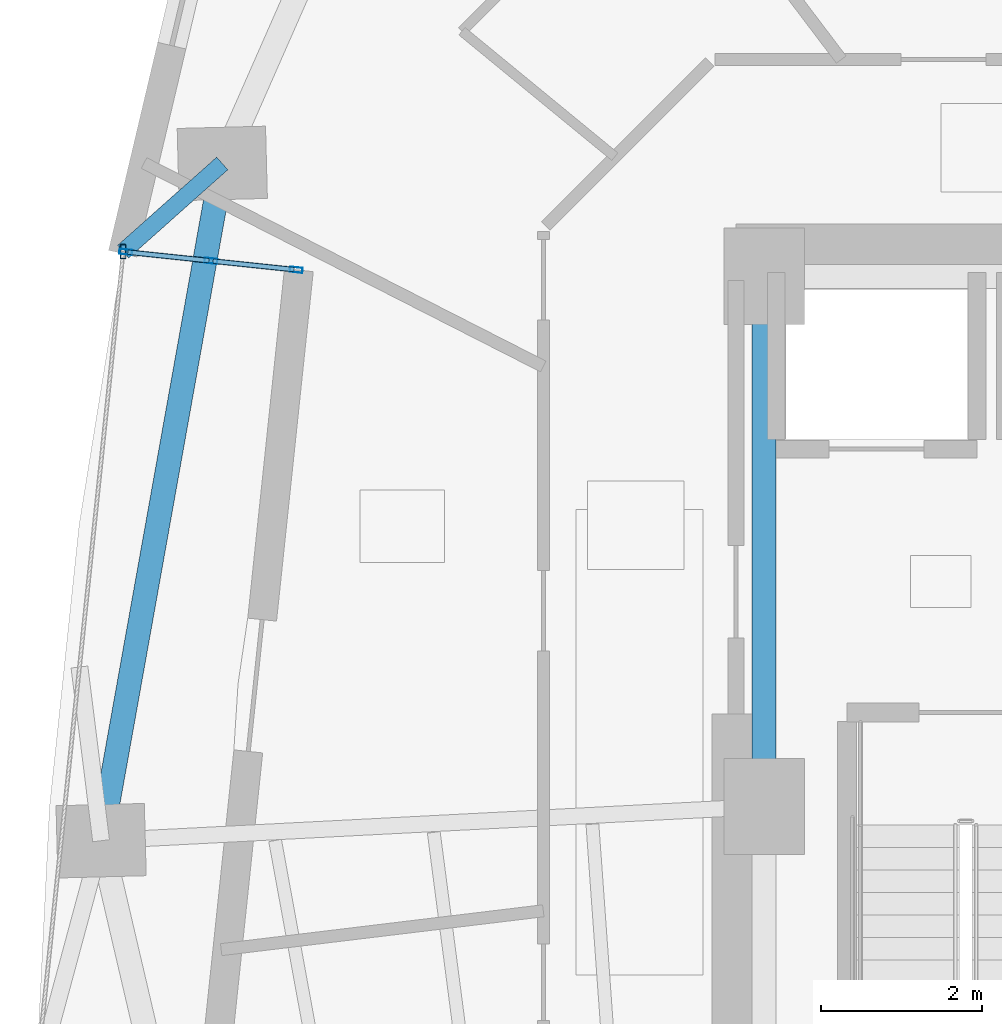
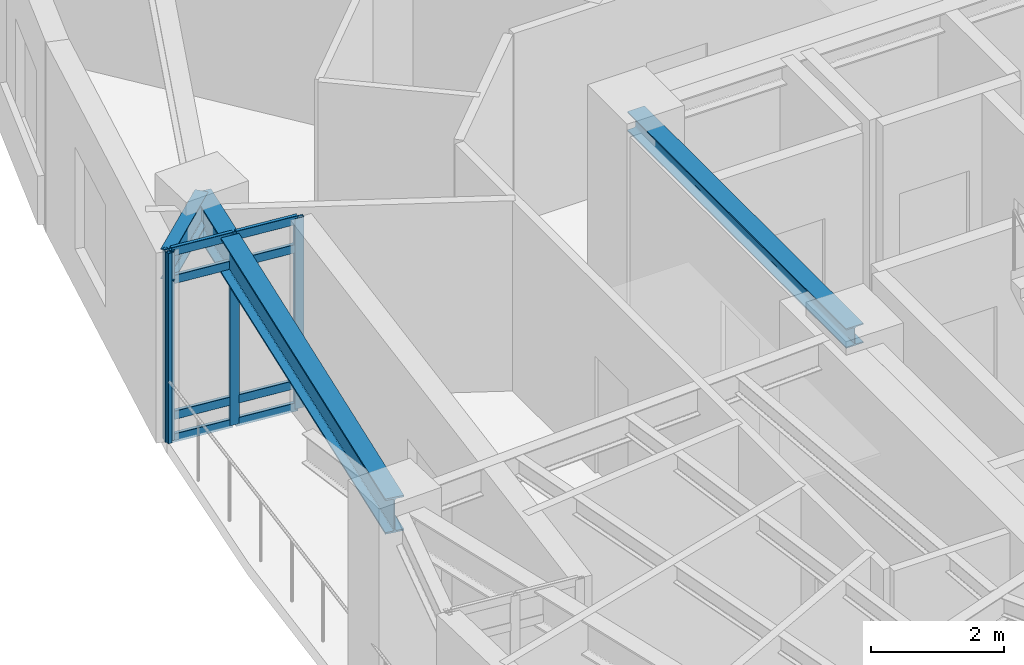
# One storey, part 3 of 12: 12 members, 3 beams, 1 element without a shape of its own.
"""IFC4 building model written with IfcOpenShell, lengths in metres."""

from ifc_helpers import new_model, si_unit, direction, frame, origin, origin_2d, place, context, subcontext, project, spatial, hollow_rectangle, i_section, extrude, material, layer, layer_set, material_profile, profile_set, type_object, element, aggregate, save


model = new_model("IFC4")

# Units and contexts
model_context = context("Model", 3, precision=1e-05, world=origin(), true_north=direction((0.0, 1.0)))
body_context = subcontext(model_context, "Body", "Model", "MODEL_VIEW")
ifc_project = project(units=[si_unit("LENGTHUNIT", "METRE"), si_unit("AREAUNIT", "SQUARE_METRE"), si_unit("VOLUMEUNIT", "CUBIC_METRE"), si_unit("PLANEANGLEUNIT", "RADIAN"), si_unit("MASSUNIT", "GRAM", prefix="KILO")], contexts=[model_context])

# Site, building, storey
site_placement = place(None, origin())
site = spatial("IfcSite", under=ifc_project, at=site_placement, CompositionType="ELEMENT")
building_placement = place(site_placement, origin())
building = spatial("IfcBuilding", under=site, at=building_placement, Name="Ndelora Gate Hotel", CompositionType="ELEMENT")
storey_placement = place(building_placement, frame((0.0, 0.0, 101.0)))
storey = spatial("IfcBuildingStorey", under=building, at=storey_placement, Name="L24", CompositionType="ELEMENT", Elevation=101.0)

# Beams
ifc_material_1 = material(Name="Steel S355", Category="steel")
ifc_material_profile_1 = material_profile(ifc_material_1, i_section(OverallWidth=0.300048828125, OverallDepth=0.360107421875, WebThickness=0.012451171875, FlangeThickness=0.0224609375, FilletRadius=0.027099609375, at=origin_2d()), Name="HEB 360")
ifc_profile_set_1 = profile_set([ifc_material_profile_1], Name="Steel S355")
beam_type_1 = type_object("IfcBeamType", Name="BM-CORE-360", PredefinedType="BEAM", material=ifc_profile_set_1)
beam_1_placement = place(storey_placement, frame((-8.0, 0.0, 3.320068359375), z_axis=(0.0, 1.0, 0.0), x_axis=(-1.0, 0.0, 0.0)))
element("IfcBeam", 1, at=beam_1_placement, inside=storey, type_object=beam_type_1, Name="L24 Core Tie Girder CC8-CC7", PredefinedType="BEAM", context=body_context, shape_type="SweptSolid", body=[
    extrude(i_section(OverallWidth=0.300048828125, OverallDepth=0.360107421875, WebThickness=0.012451171875, FlangeThickness=0.0224609375, FilletRadius=0.027099609375, at=origin_2d()), origin(), (0.0, 0.0, 1.0), 6.60009765625),
])
ifc_material_profile_2 = material_profile(ifc_material_1, i_section(OverallWidth=0.2099609375, OverallDepth=0.550048828125, WebThickness=0.010986328125, FlangeThickness=0.01708984375, FilletRadius=0.02392578125, at=origin_2d()), Name="IPE 550")
ifc_profile_set_2 = profile_set([ifc_material_profile_2], Name="Steel S355")
beam_type_2 = type_object("IfcBeamType", Name="BM-RAD-550", PredefinedType="BEAM", material=ifc_profile_set_2)
beam_2_placement = place(storey_placement, frame((-14.74658203125, 8.006591796875, 3.22509765625), z_axis=(-0.747058674237, -0.664758104311, 0.0), x_axis=(0.664758104311, -0.747058674237, 0.0)))
element("IfcBeam", 2, at=beam_2_placement, inside=storey, type_object=beam_type_2, Name="L24 Sky-Garden Loggia Column Bracket 1", PredefinedType="BEAM", context=body_context, shape_type="SweptSolid", body=[
    extrude(i_section(OverallWidth=0.2099609375, OverallDepth=0.550048828125, WebThickness=0.010986328125, FlangeThickness=0.01708984375, FilletRadius=0.02392578125, at=origin_2d()), origin(), (0.0, 0.0, 1.0), 1.65234375),
])
ifc_material_profile_3 = material_profile(ifc_material_1, i_section(OverallWidth=0.300048828125, OverallDepth=0.64990234375, WebThickness=0.01611328125, FlangeThickness=0.031005859375, FilletRadius=0.027099609375, at=origin_2d()), Name="HEB 650")
ifc_profile_set_3 = profile_set([ifc_material_profile_3], Name="Steel S355")
beam_type_3 = type_object("IfcBeamType", Name="BM-RING-650", PredefinedType="SPANDREL", material=ifc_profile_set_3)
beam_3_placement = place(storey_placement, frame((-14.74658203125, 8.006591796875, 3.175048828125), z_axis=(-0.176130938817, -0.984366746894, 0.0), x_axis=(0.984366746894, -0.176130938817, 0.0)))
element("IfcBeam", 3, at=beam_3_placement, inside=storey, type_object=beam_type_3, Name="L24 Perimeter Spandrel Girder 2", PredefinedType="SPANDREL", context=body_context, shape_type="SweptSolid", body=[
    extrude(i_section(OverallWidth=0.300048828125, OverallDepth=0.64990234375, WebThickness=0.01611328125, FlangeThickness=0.031005859375, FilletRadius=0.027099609375, at=origin_2d()), origin(), (0.0, 0.0, 1.0), 8.56640625),
])

# Curtain wall, members
ifc_material_2 = material(Name="Bronze Anodised Unitised Aluminium and Low-E Glass", Category="aluminium")
ifc_layer = layer(ifc_material_2, 0.199951171875)
ifc_layer_set = layer_set([ifc_layer], Name="Bronze Anodised Unitised Aluminium and Low-E Glass")
curtain_wall_type = type_object("IfcCurtainWallType", Name="CW-SYS-3", PredefinedType="NOTDEFINED", material=ifc_layer_set)
curtain_wall_placement = place(storey_placement, origin())
curtain_wall = element("IfcCurtainWall", 4, at=curtain_wall_placement, inside=storey, type_object=curtain_wall_type, Name="L24 Sky-Garden Loggia Side Curtain Wall CW3-1", PredefinedType="NOTDEFINED")
ifc_material_3 = material(Name="Bronze Anodised Aluminium 6063-T6", Category="aluminium")
ifc_material_profile_4 = material_profile(ifc_material_3, hollow_rectangle(XDim=0.06494140625, YDim=0.159912109375, WallThickness=0.00390625, InnerFilletRadius=0.00390625, OuterFilletRadius=0.008056640625, at=origin_2d()), Name="ALU 160x65x4")
ifc_profile_set_4 = profile_set([ifc_material_profile_4], Name="Bronze Anodised Aluminium 6063-T6")
member_type_1 = type_object("IfcMemberType", Name="MB-CW-MUL150", PredefinedType="MULLION", material=ifc_profile_set_4)
member_1_placement = place(storey_placement, frame((-13.825439453125, 6.681884765625, -0.00390625), z_axis=(0.0, 0.0, 1.0), x_axis=(-0.10450258647, -0.994524614789, 0.0)))
member_1 = element("IfcMember", 5, at=member_1_placement, type_object=member_type_1, Name="CW3 mullion 1", PredefinedType="MULLION", context=body_context, shape_type="SweptSolid", body=[
    extrude(hollow_rectangle(XDim=0.06494140625, YDim=0.159912109375, WallThickness=0.00390625, InnerFilletRadius=0.00390625, OuterFilletRadius=0.008056640625, at=origin_2d()), origin(), (0.0, 0.0, 1.0), 3.5078125),
])
member_2_placement = place(storey_placement, frame((-14.886962890625, 6.79345703125, -0.00390625), z_axis=(0.0, 0.0, 1.0), x_axis=(-0.10450258647, -0.994524614789, 0.0)))
member_2 = element("IfcMember", 6, at=member_2_placement, type_object=member_type_1, Name="CW3 mullion 2", PredefinedType="MULLION", context=body_context, shape_type="SweptSolid", body=[
    extrude(hollow_rectangle(XDim=0.06494140625, YDim=0.159912109375, WallThickness=0.00390625, InnerFilletRadius=0.00390625, OuterFilletRadius=0.008056640625, at=origin_2d()), origin(), (0.0, 0.0, 1.0), 3.5078125),
])
member_3_placement = place(storey_placement, frame((-15.94873046875, 6.90478515625, -0.00390625), z_axis=(0.0, 0.0, 1.0), x_axis=(-0.10450258647, -0.994524614789, 0.0)))
member_3 = element("IfcMember", 7, at=member_3_placement, type_object=member_type_1, Name="CW3 mullion 3", PredefinedType="MULLION", context=body_context, shape_type="SweptSolid", body=[
    extrude(hollow_rectangle(XDim=0.06494140625, YDim=0.159912109375, WallThickness=0.00390625, InnerFilletRadius=0.00390625, OuterFilletRadius=0.008056640625, at=origin_2d()), origin(), (0.0, 0.0, 1.0), 3.5078125),
])
ifc_material_profile_5 = material_profile(ifc_material_3, hollow_rectangle(XDim=0.070068359375, YDim=0.179931640625, WallThickness=0.0048828125, InnerFilletRadius=0.0048828125, OuterFilletRadius=0.010009765625, at=origin_2d()), Name="ALU 180x70x5")
ifc_profile_set_5 = profile_set([ifc_material_profile_5], Name="Bronze Anodised Aluminium 6063-T6")
member_type_2 = type_object("IfcMemberType", Name="MB-CW-MUL180", PredefinedType="MULLION", material=ifc_profile_set_5)
member_4_placement = place(storey_placement, frame((-15.98095703125, 6.908203125, 0.0), z_axis=(0.0, 0.0, 1.0), x_axis=(1.0, 0.0, 0.0)))
member_4 = element("IfcMember", 8, at=member_4_placement, type_object=member_type_2, Name="L24 Sky-Garden Loggia Corner Mullion Post 1", PredefinedType="MULLION", context=body_context, shape_type="SweptSolid", body=[
    extrude(hollow_rectangle(XDim=0.070068359375, YDim=0.179931640625, WallThickness=0.0048828125, InnerFilletRadius=0.0048828125, OuterFilletRadius=0.010009765625, at=origin_2d()), origin(), (0.0, 0.0, 1.0), 3.5),
])
ifc_material_profile_6 = material_profile(ifc_material_3, hollow_rectangle(XDim=0.06494140625, YDim=0.159912109375, WallThickness=0.00390625, InnerFilletRadius=0.00390625, OuterFilletRadius=0.008056640625, at=origin_2d()), Name="ALU 160x65x4")
ifc_profile_set_6 = profile_set([ifc_material_profile_6], Name="Bronze Anodised Aluminium 6063-T6")
member_type_3 = type_object("IfcMemberType", Name="MB-CW-TRN150", PredefinedType="USERDEFINED", material=ifc_profile_set_6)
member_5_placement = place(storey_placement, frame((-13.851806640625, 6.6845703125, 0.032470703125), z_axis=(-0.994529166593, 0.104459259027, 0.0), x_axis=(-0.104459259027, -0.994529166593, 0.0)))
member_5 = element("IfcMember", 9, at=member_5_placement, type_object=member_type_3, Name="CW3 transom 1.1", ObjectType="TRANSOM", PredefinedType="USERDEFINED", context=body_context, shape_type="SweptSolid", body=[
    extrude(hollow_rectangle(XDim=0.06494140625, YDim=0.159912109375, WallThickness=0.00390625, InnerFilletRadius=0.00390625, OuterFilletRadius=0.008056640625, at=origin_2d()), origin(), (0.0, 0.0, 1.0), 1.014404296875),
])
member_6_placement = place(storey_placement, frame((-13.851806640625, 6.6845703125, 0.449951171875), z_axis=(-0.994529166593, 0.104459259027, 0.0), x_axis=(-0.104459259027, -0.994529166593, 0.0)))
member_6 = element("IfcMember", 10, at=member_6_placement, type_object=member_type_3, Name="CW3 transom 1.2", ObjectType="TRANSOM", PredefinedType="USERDEFINED", context=body_context, shape_type="SweptSolid", body=[
    extrude(hollow_rectangle(XDim=0.06494140625, YDim=0.159912109375, WallThickness=0.00390625, InnerFilletRadius=0.00390625, OuterFilletRadius=0.008056640625, at=origin_2d()), origin(), (0.0, 0.0, 1.0), 1.014404296875),
])
member_7_placement = place(storey_placement, frame((-13.851806640625, 6.6845703125, 2.949951171875), z_axis=(-0.994529166593, 0.104459259027, 0.0), x_axis=(-0.104459259027, -0.994529166593, 0.0)))
member_7 = element("IfcMember", 11, at=member_7_placement, type_object=member_type_3, Name="CW3 transom 1.3", ObjectType="TRANSOM", PredefinedType="USERDEFINED", context=body_context, shape_type="SweptSolid", body=[
    extrude(hollow_rectangle(XDim=0.06494140625, YDim=0.159912109375, WallThickness=0.00390625, InnerFilletRadius=0.00390625, OuterFilletRadius=0.008056640625, at=origin_2d()), origin(), (0.0, 0.0, 1.0), 1.014404296875),
])
member_8_placement = place(storey_placement, frame((-13.851806640625, 6.6845703125, 3.467529296875), z_axis=(-0.994529166593, 0.104459259027, 0.0), x_axis=(-0.104459259027, -0.994529166593, 0.0)))
member_8 = element("IfcMember", 12, at=member_8_placement, type_object=member_type_3, Name="CW3 transom 1.4", ObjectType="TRANSOM", PredefinedType="USERDEFINED", context=body_context, shape_type="SweptSolid", body=[
    extrude(hollow_rectangle(XDim=0.06494140625, YDim=0.159912109375, WallThickness=0.00390625, InnerFilletRadius=0.00390625, OuterFilletRadius=0.008056640625, at=origin_2d()), origin(), (0.0, 0.0, 1.0), 1.014404296875),
])
member_9_placement = place(storey_placement, frame((-14.913330078125, 6.796142578125, 0.032470703125), z_axis=(-0.994531791991, 0.104434260277, 0.0), x_axis=(-0.104434260277, -0.994531791991, 0.0)))
member_9 = element("IfcMember", 13, at=member_9_placement, type_object=member_type_3, Name="CW3 transom 2.1", ObjectType="TRANSOM", PredefinedType="USERDEFINED", context=body_context, shape_type="SweptSolid", body=[
    extrude(hollow_rectangle(XDim=0.06494140625, YDim=0.159912109375, WallThickness=0.00390625, InnerFilletRadius=0.00390625, OuterFilletRadius=0.008056640625, at=origin_2d()), origin(), (0.0, 0.0, 1.0), 1.0146484375),
])
member_10_placement = place(storey_placement, frame((-14.913330078125, 6.796142578125, 0.449951171875), z_axis=(-0.994531791991, 0.104434260277, 0.0), x_axis=(-0.104434260277, -0.994531791991, 0.0)))
member_10 = element("IfcMember", 14, at=member_10_placement, type_object=member_type_3, Name="CW3 transom 2.2", ObjectType="TRANSOM", PredefinedType="USERDEFINED", context=body_context, shape_type="SweptSolid", body=[
    extrude(hollow_rectangle(XDim=0.06494140625, YDim=0.159912109375, WallThickness=0.00390625, InnerFilletRadius=0.00390625, OuterFilletRadius=0.008056640625, at=origin_2d()), origin(), (0.0, 0.0, 1.0), 1.0146484375),
])
member_11_placement = place(storey_placement, frame((-14.913330078125, 6.796142578125, 2.949951171875), z_axis=(-0.994531791991, 0.104434260277, 0.0), x_axis=(-0.104434260277, -0.994531791991, 0.0)))
member_11 = element("IfcMember", 15, at=member_11_placement, type_object=member_type_3, Name="CW3 transom 2.3", ObjectType="TRANSOM", PredefinedType="USERDEFINED", context=body_context, shape_type="SweptSolid", body=[
    extrude(hollow_rectangle(XDim=0.06494140625, YDim=0.159912109375, WallThickness=0.00390625, InnerFilletRadius=0.00390625, OuterFilletRadius=0.008056640625, at=origin_2d()), origin(), (0.0, 0.0, 1.0), 1.0146484375),
])
member_12_placement = place(storey_placement, frame((-14.913330078125, 6.796142578125, 3.467529296875), z_axis=(-0.994531791991, 0.104434260277, 0.0), x_axis=(-0.104434260277, -0.994531791991, 0.0)))
member_12 = element("IfcMember", 16, at=member_12_placement, type_object=member_type_3, Name="CW3 transom 2.4", ObjectType="TRANSOM", PredefinedType="USERDEFINED", context=body_context, shape_type="SweptSolid", body=[
    extrude(hollow_rectangle(XDim=0.06494140625, YDim=0.159912109375, WallThickness=0.00390625, InnerFilletRadius=0.00390625, OuterFilletRadius=0.008056640625, at=origin_2d()), origin(), (0.0, 0.0, 1.0), 1.0146484375),
])
aggregate(curtain_wall, [member_1, member_2, member_3, member_5, member_6, member_7, member_8, member_9, member_10, member_11, member_12, member_4])

save(model, "model.ifc")
